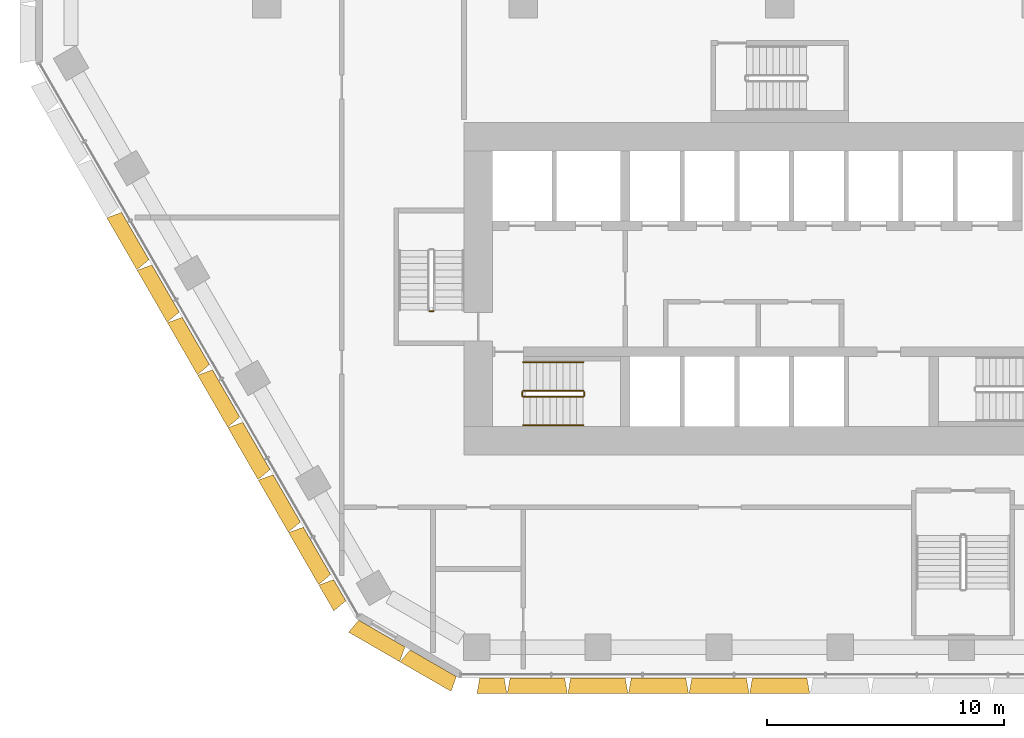
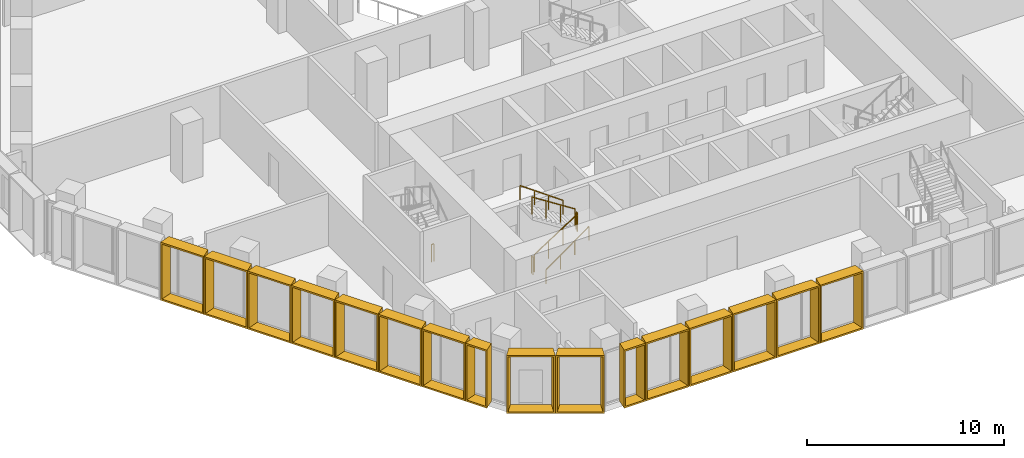
# One storey, part 19 of 22: 16 shading devices, 7 railings.
"""IFC4 building model written with IfcOpenShell, lengths in metres."""

from ifc_helpers import new_model, entity, si_unit, direction, frame, origin, origin_2d, place, context, subcontext, project, spatial, rectangle, extrude, source, transform, mapped, material, type_object, type_shapes, element, save


model = new_model("IFC4")

# Units and contexts
model_context = context("Model", 3, precision=1e-05, world=origin(), true_north=direction((0.0, 1.0)))
body_context = subcontext(model_context, "Body", "Model", "MODEL_VIEW")
ifc_project = project(units=[si_unit("LENGTHUNIT", "METRE"), si_unit("AREAUNIT", "SQUARE_METRE"), si_unit("VOLUMEUNIT", "CUBIC_METRE"), si_unit("PLANEANGLEUNIT", "RADIAN"), si_unit("MASSUNIT", "GRAM", prefix="KILO")], contexts=[model_context])

# Site, building, storey
site_placement = place(None, origin())
site = spatial("IfcSite", under=ifc_project, at=site_placement, CompositionType="ELEMENT")
building_placement = place(site_placement, origin())
building = spatial("IfcBuilding", under=site, at=building_placement, Name="Beryl Residences", CompositionType="ELEMENT")
storey_placement = place(building_placement, frame((0.0, 0.0, 12.60009765625)))
storey = spatial("IfcBuildingStorey", under=building, at=storey_placement, Name="L03", CompositionType="ELEMENT", Elevation=12.60009765625)

# Shading devices
ifc_material_1 = material(Name="Aluminium pale anodised", Category="aluminium")
shading_device_type_1 = type_object("IfcShadingDeviceType", Name="FR128-65A-H36 OUTER SKIN frame 650 mm deep, splay 10/10 deg, 1280 x 3600 mm cell", PredefinedType="USERDEFINED", material=ifc_material_1)
cartesian_point_1 = entity("IfcCartesianPoint", [-0.514892578125, 0.0])
cartesian_point_2 = entity("IfcCartesianPoint", [-0.433837890625, 0.10009765625])
cartesian_point_3 = entity("IfcCartesianPoint", [-0.629638671875, 0.0])
cartesian_point_4 = entity("IfcCartesianPoint", [-0.54833984375, 0.10009765625])
shared_shape_1 = source(origin(), body_context, "Body", "SweptSolid", [
    entity("IfcExtrudedAreaSolidTapered", entity("IfcArbitraryProfileDefWithVoids", "AREA", None, entity("IfcPolyline", [cartesian_point_1, entity("IfcCartesianPoint", [0.514892578125, 0.0]), entity("IfcCartesianPoint", [0.514892578125, 3.60009765625]), entity("IfcCartesianPoint", [-0.514892578125, 3.60009765625]), cartesian_point_1]), [entity("IfcPolyline", [cartesian_point_2, entity("IfcCartesianPoint", [0.433837890625, 0.10009765625]), entity("IfcCartesianPoint", [0.433837890625, 3.5]), entity("IfcCartesianPoint", [-0.433837890625, 3.5]), cartesian_point_2])]), entity("IfcAxis2Placement3D", entity("IfcCartesianPoint", [0.0, 0.0, 0.0]), entity("IfcDirection", [0.0, 1.0, 0.0]), entity("IfcDirection", [-1.0, 0.0, 0.0])), entity("IfcDirection", [0.0, 0.0, 1.0]), 0.64990234375, entity("IfcArbitraryProfileDefWithVoids", "AREA", None, entity("IfcPolyline", [cartesian_point_3, entity("IfcCartesianPoint", [0.629638671875, 0.0]), entity("IfcCartesianPoint", [0.629638671875, 3.60009765625]), entity("IfcCartesianPoint", [-0.629638671875, 3.60009765625]), cartesian_point_3]), [entity("IfcPolyline", [cartesian_point_4, entity("IfcCartesianPoint", [0.54833984375, 0.10009765625]), entity("IfcCartesianPoint", [0.54833984375, 3.5]), entity("IfcCartesianPoint", [-0.54833984375, 3.5]), cartesian_point_4])])),
])
type_shapes(shading_device_type_1, [shared_shape_1])
for number, where, z_axis, x_axis, name in (
    (1, (-18.533935546875, -24.698974609375, 0.0), (0.0, 0.0, 1.0), (-0.5, 0.866025403784, 0.0), "FR128-65A-H36 frame L03 SW 11"),
    (2, (-12.12109375, -28.39990234375, 0.0), (0.0, 0.0, 1.0), (-1.0, 0.0, 0.0), "FR128-65A-H36 frame L03 S 1"),
):
    element("IfcShadingDevice", number, at=place(storey_placement, frame(where, z_axis=z_axis, x_axis=x_axis)), inside=storey, type_object=shading_device_type_1, Name=name, ObjectType="OUTER SKIN", PredefinedType="USERDEFINED", context=body_context, shape_type="MappedRepresentation", body=[
        mapped(shared_shape_1, transform((0.0, 0.0, 0.0))),
    ])
ifc_material_2 = material(Name="Aluminium pale anodised", Category="aluminium")
shading_device_type_2 = type_object("IfcShadingDeviceType", Name="FR250-65A-H36 OUTER SKIN frame 650 mm deep, splay 10/10 deg, 2500 x 3600 mm cell", PredefinedType="USERDEFINED", material=ifc_material_2)
cartesian_point_5 = entity("IfcCartesianPoint", [-1.125, 0.0])
cartesian_point_6 = entity("IfcCartesianPoint", [-1.043701171875, 0.10009765625])
cartesian_point_7 = entity("IfcCartesianPoint", [-1.239501953125, 0.0])
cartesian_point_8 = entity("IfcCartesianPoint", [-1.158447265625, 0.10009765625])
shared_shape_2 = source(origin(), body_context, "Body", "SweptSolid", [
    entity("IfcExtrudedAreaSolidTapered", entity("IfcArbitraryProfileDefWithVoids", "AREA", None, entity("IfcPolyline", [cartesian_point_5, entity("IfcCartesianPoint", [1.125, 0.0]), entity("IfcCartesianPoint", [1.125, 3.60009765625]), entity("IfcCartesianPoint", [-1.125, 3.60009765625]), cartesian_point_5]), [entity("IfcPolyline", [cartesian_point_6, entity("IfcCartesianPoint", [1.043701171875, 0.10009765625]), entity("IfcCartesianPoint", [1.043701171875, 3.5]), entity("IfcCartesianPoint", [-1.043701171875, 3.5]), cartesian_point_6])]), entity("IfcAxis2Placement3D", entity("IfcCartesianPoint", [0.0, 0.0, 0.0]), entity("IfcDirection", [0.0, 1.0, 0.0]), entity("IfcDirection", [-1.0, 0.0, 0.0])), entity("IfcDirection", [0.0, 0.0, 1.0]), 0.64990234375, entity("IfcArbitraryProfileDefWithVoids", "AREA", None, entity("IfcPolyline", [cartesian_point_7, entity("IfcCartesianPoint", [1.239501953125, 0.0]), entity("IfcCartesianPoint", [1.239501953125, 3.60009765625]), entity("IfcCartesianPoint", [-1.239501953125, 3.60009765625]), cartesian_point_7]), [entity("IfcPolyline", [cartesian_point_8, entity("IfcCartesianPoint", [1.158447265625, 0.10009765625]), entity("IfcCartesianPoint", [1.158447265625, 3.5]), entity("IfcCartesianPoint", [-1.158447265625, 3.5]), cartesian_point_8])])),
])
type_shapes(shading_device_type_2, [shared_shape_2])
for number, where, z_axis, x_axis, name in (
    (3, (-16.758056640625, -26.52490234375, 0.0), (0.0, 0.0, 1.0), (-0.866025403784, 0.5, 0.0), "FR250-65A-H36 frame L03 SW-S 1"),
    (4, (-14.593017578125, -27.77490234375, 0.0), (0.0, 0.0, 1.0), (-0.866025403784, 0.5, 0.0), "FR250-65A-H36 frame L03 SW-S 2"),
):
    element("IfcShadingDevice", number, at=place(storey_placement, frame(where, z_axis=z_axis, x_axis=x_axis)), inside=storey, type_object=shading_device_type_2, Name=name, ObjectType="OUTER SKIN", PredefinedType="USERDEFINED", context=body_context, shape_type="MappedRepresentation", body=[
        mapped(shared_shape_2, transform((0.0, 0.0, 0.0))),
    ])
ifc_material_3 = material(Name="Aluminium pale anodised", Category="aluminium")
shading_device_type_3 = type_object("IfcShadingDeviceType", Name="FR255-65A-H36 OUTER SKIN frame 650 mm deep, splay 10/10 deg, 2550 x 3600 mm cell", PredefinedType="USERDEFINED", material=ifc_material_3)
cartesian_point_9 = entity("IfcCartesianPoint", [-1.14990234375, 0.0])
cartesian_point_10 = entity("IfcCartesianPoint", [-1.06884765625, 0.10009765625])
cartesian_point_11 = entity("IfcCartesianPoint", [-1.2646484375, 0.0])
cartesian_point_12 = entity("IfcCartesianPoint", [-1.183349609375, 0.10009765625])
shared_shape_3 = source(origin(), body_context, "Body", "SweptSolid", [
    entity("IfcExtrudedAreaSolidTapered", entity("IfcArbitraryProfileDefWithVoids", "AREA", None, entity("IfcPolyline", [cartesian_point_9, entity("IfcCartesianPoint", [1.14990234375, 0.0]), entity("IfcCartesianPoint", [1.14990234375, 3.60009765625]), entity("IfcCartesianPoint", [-1.14990234375, 3.60009765625]), cartesian_point_9]), [entity("IfcPolyline", [cartesian_point_10, entity("IfcCartesianPoint", [1.06884765625, 0.10009765625]), entity("IfcCartesianPoint", [1.06884765625, 3.5]), entity("IfcCartesianPoint", [-1.06884765625, 3.5]), cartesian_point_10])]), entity("IfcAxis2Placement3D", entity("IfcCartesianPoint", [0.0, 0.0, 0.0]), entity("IfcDirection", [0.0, 1.0, 0.0]), entity("IfcDirection", [-1.0, 0.0, 0.0])), entity("IfcDirection", [0.0, 0.0, 1.0]), 0.64990234375, entity("IfcArbitraryProfileDefWithVoids", "AREA", None, entity("IfcPolyline", [cartesian_point_11, entity("IfcCartesianPoint", [1.2646484375, 0.0]), entity("IfcCartesianPoint", [1.2646484375, 3.60009765625]), entity("IfcCartesianPoint", [-1.2646484375, 3.60009765625]), cartesian_point_11]), [entity("IfcPolyline", [cartesian_point_12, entity("IfcCartesianPoint", [1.183349609375, 0.10009765625]), entity("IfcCartesianPoint", [1.183349609375, 3.5]), entity("IfcCartesianPoint", [-1.183349609375, 3.5]), cartesian_point_12])])),
])
type_shapes(shading_device_type_3, [shared_shape_3])
for number, where, z_axis, x_axis, name in (
    (5, (-27.14599609375, -9.781005859375, 0.0), (0.0, 0.0, 1.0), (-0.5, 0.866025403784, 0.0), "FR255-65A-H36 frame L03 SW 4"),
    (6, (-25.8701171875, -11.990966796875, 0.0), (0.0, 0.0, 1.0), (-0.5, 0.866025403784, 0.0), "FR255-65A-H36 frame L03 SW 5"),
    (7, (-24.594970703125, -14.200927734375, 0.0), (0.0, 0.0, 1.0), (-0.5, 0.866025403784, 0.0), "FR255-65A-H36 frame L03 SW 6"),
    (8, (-23.319091796875, -16.410888671875, 0.0), (0.0, 0.0, 1.0), (-0.5, 0.866025403784, 0.0), "FR255-65A-H36 frame L03 SW 7"),
    (9, (-22.04296875, -18.62109375, 0.0), (0.0, 0.0, 1.0), (-0.5, 0.866025403784, 0.0), "FR255-65A-H36 frame L03 SW 8"),
    (10, (-20.76708984375, -20.8310546875, 0.0), (0.0, 0.0, 1.0), (-0.5, 0.866025403784, 0.0), "FR255-65A-H36 frame L03 SW 9"),
    (11, (-19.490966796875, -23.041015625, 0.0), (0.0, 0.0, 1.0), (-0.5, 0.866025403784, 0.0), "FR255-65A-H36 frame L03 SW 10"),
    (12, (-10.20703125, -28.39990234375, 0.0), (0.0, 0.0, 1.0), (-1.0, 0.0, 0.0), "FR255-65A-H36 frame L03 S 2"),
    (13, (-7.655029296875, -28.39990234375, 0.0), (0.0, 0.0, 1.0), (-1.0, 0.0, 0.0), "FR255-65A-H36 frame L03 S 3"),
    (14, (-5.10302734375, -28.39990234375, 0.0), (0.0, 0.0, 1.0), (-1.0, 0.0, 0.0), "FR255-65A-H36 frame L03 S 4"),
    (15, (-2.551025390625, -28.39990234375, 0.0), (0.0, 0.0, 1.0), (-1.0, 0.0, 0.0), "FR255-65A-H36 frame L03 S 5"),
    (16, (0.0009765625, -28.39990234375, 0.0), (0.0, 0.0, 1.0), (-1.0, 0.0, 0.0), "FR255-65A-H36 frame L03 S 6"),
):
    element("IfcShadingDevice", number, at=place(storey_placement, frame(where, z_axis=z_axis, x_axis=x_axis)), inside=storey, type_object=shading_device_type_3, Name=name, ObjectType="OUTER SKIN", PredefinedType="USERDEFINED", context=body_context, shape_type="MappedRepresentation", body=[
        mapped(shared_shape_3, transform((0.0, 0.0, 0.0))),
    ])

# Railings
ifc_material_4 = material(Name="Stainless steel balustrade with glass infill", Category="steel")
railing_type_1 = type_object("IfcRailingType", Name="SG1 stair guard 1100 mm", PredefinedType="GUARDRAIL", material=ifc_material_4)
railing_1_placement = place(storey_placement, frame((-10.800048828125, -16.550048828125, 0.179931640625)))
element("IfcRailing", 17, at=railing_1_placement, inside=storey, type_object=railing_type_1, Name="L03 ST-1 stair guard 1", PredefinedType="GUARDRAIL", context=body_context, shape_type="SweptSolid", body=[
    extrude(rectangle(XDim=0.048095703125, YDim=0.048095703125, at=origin_2d()), frame((0.0, 0.0, 1.076171875), z_axis=(0.841199657755, 0.0, 0.540724639528), x_axis=(0.0, 1.0, 0.0)), (0.0, 0.0, 1.0), 2.995849609375),
    extrude(rectangle(XDim=0.0419921875, YDim=0.0419921875, at=origin_2d()), origin(), (0.0, 0.0, 1.0), 1.052001953125),
    extrude(rectangle(XDim=0.0419921875, YDim=0.0419921875, at=origin_2d()), frame((0.840087890625, 0.0, 0.5400390625)), (0.0, 0.0, 1.0), 1.052001953125),
    extrude(rectangle(XDim=0.0419921875, YDim=0.0419921875, at=origin_2d()), frame((1.679931640625, 0.0, 1.079833984375)), (0.0, 0.0, 1.0), 1.052001953125),
    extrude(rectangle(XDim=0.0419921875, YDim=0.0419921875, at=origin_2d()), frame((2.52001953125, 0.0, 1.619873046875)), (0.0, 0.0, 1.0), 1.052001953125),
])
railing_2_placement = place(storey_placement, frame((-8.22998046875, -16.5, 1.7998046875)))
element("IfcRailing", 18, at=railing_2_placement, inside=storey, type_object=railing_type_1, Name="L03 ST-1 stair guard 2", PredefinedType="GUARDRAIL", context=body_context, shape_type="SweptSolid", body=[
    extrude(rectangle(XDim=0.048095703125, YDim=0.048095703125, at=origin_2d()), frame((0.0, 0.0, 1.076171875), z_axis=(0.0, 1.0, 0.0), x_axis=(-1.0, 0.0, 0.0)), (0.0, 0.0, 1.0), 0.14990234375),
    extrude(rectangle(XDim=0.0419921875, YDim=0.0419921875, at=origin_2d()), origin(), (0.0, 0.0, 1.0), 1.052001953125),
    extrude(rectangle(XDim=0.0419921875, YDim=0.0419921875, at=origin_2d()), frame((0.0, 0.14990234375, 0.0)), (0.0, 0.0, 1.0), 1.052001953125),
])
railing_3_placement = place(storey_placement, frame((-8.280029296875, -16.300048828125, 1.97998046875)))
element("IfcRailing", 19, at=railing_3_placement, inside=storey, type_object=railing_type_1, Name="L03 ST-1 stair guard 3", PredefinedType="GUARDRAIL", context=body_context, shape_type="SweptSolid", body=[
    extrude(rectangle(XDim=0.048095703125, YDim=0.048095703125, at=origin_2d()), frame((0.0, 0.0, 1.076171875), z_axis=(-0.841199657755, 0.0, 0.540724639528), x_axis=(0.0, -1.0, 0.0)), (0.0, 0.0, 1.0), 2.995849609375),
    extrude(rectangle(XDim=0.0419921875, YDim=0.0419921875, at=origin_2d()), origin(), (0.0, 0.0, 1.0), 1.052001953125),
    extrude(rectangle(XDim=0.0419921875, YDim=0.0419921875, at=origin_2d()), frame((-0.840087890625, 0.0, 0.5400390625)), (0.0, 0.0, 1.0), 1.052001953125),
    extrude(rectangle(XDim=0.0419921875, YDim=0.0419921875, at=origin_2d()), frame((-1.679931640625, 0.0, 1.079833984375)), (0.0, 0.0, 1.0), 1.052001953125),
    extrude(rectangle(XDim=0.0419921875, YDim=0.0419921875, at=origin_2d()), frame((-2.52001953125, 0.0, 1.619873046875)), (0.0, 0.0, 1.0), 1.052001953125),
])
railing_4_placement = place(storey_placement, frame((-10.85009765625, -16.5, 0.0)))
element("IfcRailing", 20, at=railing_4_placement, inside=storey, type_object=railing_type_1, Name="L03 ST-1 stair guard 4", PredefinedType="GUARDRAIL", context=body_context, shape_type="SweptSolid", body=[
    extrude(rectangle(XDim=0.048095703125, YDim=0.048095703125, at=origin_2d()), frame((0.0, 0.0, 1.076171875), z_axis=(0.0, 1.0, 0.0), x_axis=(-1.0, 0.0, 0.0)), (0.0, 0.0, 1.0), 0.14990234375),
    extrude(rectangle(XDim=0.0419921875, YDim=0.0419921875, at=origin_2d()), origin(), (0.0, 0.0, 1.0), 1.052001953125),
    extrude(rectangle(XDim=0.0419921875, YDim=0.0419921875, at=origin_2d()), frame((0.0, 0.14990234375, 0.0)), (0.0, 0.0, 1.0), 1.052001953125),
])
railing_5_placement = place(storey_placement, frame((-14.60009765625, -12.949951171875, 0.0)))
element("IfcRailing", 21, at=railing_5_placement, inside=storey, type_object=railing_type_1, Name="L03 ST-2 stair guard 4", PredefinedType="GUARDRAIL", context=body_context, shape_type="SweptSolid", body=[
    extrude(rectangle(XDim=0.048095703125, YDim=0.048095703125, at=origin_2d()), frame((0.0, 0.0, 1.076171875), z_axis=(-1.0, 0.0, 0.0), x_axis=(0.0, -1.0, 0.0)), (0.0, 0.0, 1.0), 0.14990234375),
    extrude(rectangle(XDim=0.0419921875, YDim=0.0419921875, at=origin_2d()), origin(), (0.0, 0.0, 1.0), 1.052001953125),
    extrude(rectangle(XDim=0.0419921875, YDim=0.0419921875, at=origin_2d()), frame((-0.14990234375, 0.0, 0.0)), (0.0, 0.0, 1.0), 1.052001953125),
])
ifc_material_5 = material(Name="Stainless steel handrail", Category="steel")
railing_type_2 = type_object("IfcRailingType", Name="SRL1 stair handrail 900 mm", PredefinedType="HANDRAIL", material=ifc_material_5)
railing_6_placement = place(storey_placement, frame((-10.800048828125, -17.75, 0.179931640625)))
element("IfcRailing", 22, at=railing_6_placement, inside=storey, type_object=railing_type_2, Name="L03 ST-1 stair handrail 1", PredefinedType="HANDRAIL", context=body_context, shape_type="SweptSolid", body=[
    extrude(rectangle(XDim=0.048095703125, YDim=0.048095703125, at=origin_2d()), frame((0.0, 0.0, 0.8759765625), z_axis=(0.813728144527, 0.0, 0.581245650998), x_axis=(0.0, 1.0, 0.0)), (0.0, 0.0, 1.0), 3.096923828125),
    extrude(rectangle(XDim=0.0419921875, YDim=0.0419921875, at=origin_2d()), origin(), (0.0, 0.0, 1.0), 0.851806640625),
    extrude(rectangle(XDim=0.0419921875, YDim=0.0419921875, at=origin_2d()), frame((0.840087890625, 0.0, 0.60009765625)), (0.0, 0.0, 1.0), 0.851806640625),
    extrude(rectangle(XDim=0.0419921875, YDim=0.0419921875, at=origin_2d()), frame((1.679931640625, 0.0, 1.199951171875)), (0.0, 0.0, 1.0), 0.851806640625),
    extrude(rectangle(XDim=0.0419921875, YDim=0.0419921875, at=origin_2d()), frame((2.52001953125, 0.0, 1.800048828125)), (0.0, 0.0, 1.0), 0.851806640625),
])
railing_7_placement = place(storey_placement, frame((-8.280029296875, -15.10009765625, 1.97998046875)))
element("IfcRailing", 23, at=railing_7_placement, inside=storey, type_object=railing_type_2, Name="L03 ST-1 stair handrail 2", PredefinedType="HANDRAIL", context=body_context, shape_type="SweptSolid", body=[
    extrude(rectangle(XDim=0.048095703125, YDim=0.048095703125, at=origin_2d()), frame((0.0, 0.0, 0.8759765625), z_axis=(-0.813765431312, 0.0, 0.581193446971), x_axis=(0.0, -1.0, 0.0)), (0.0, 0.0, 1.0), 3.0966796875),
    extrude(rectangle(XDim=0.0419921875, YDim=0.0419921875, at=origin_2d()), origin(), (0.0, 0.0, 1.0), 0.851806640625),
    extrude(rectangle(XDim=0.0419921875, YDim=0.0419921875, at=origin_2d()), frame((-0.840087890625, 0.0, 0.599853515625)), (0.0, 0.0, 1.0), 0.851806640625),
    extrude(rectangle(XDim=0.0419921875, YDim=0.0419921875, at=origin_2d()), frame((-1.679931640625, 0.0, 1.199951171875)), (0.0, 0.0, 1.0), 0.851806640625),
    extrude(rectangle(XDim=0.0419921875, YDim=0.0419921875, at=origin_2d()), frame((-2.52001953125, 0.0, 1.7998046875)), (0.0, 0.0, 1.0), 0.851806640625),
])

save(model, "model.ifc")
